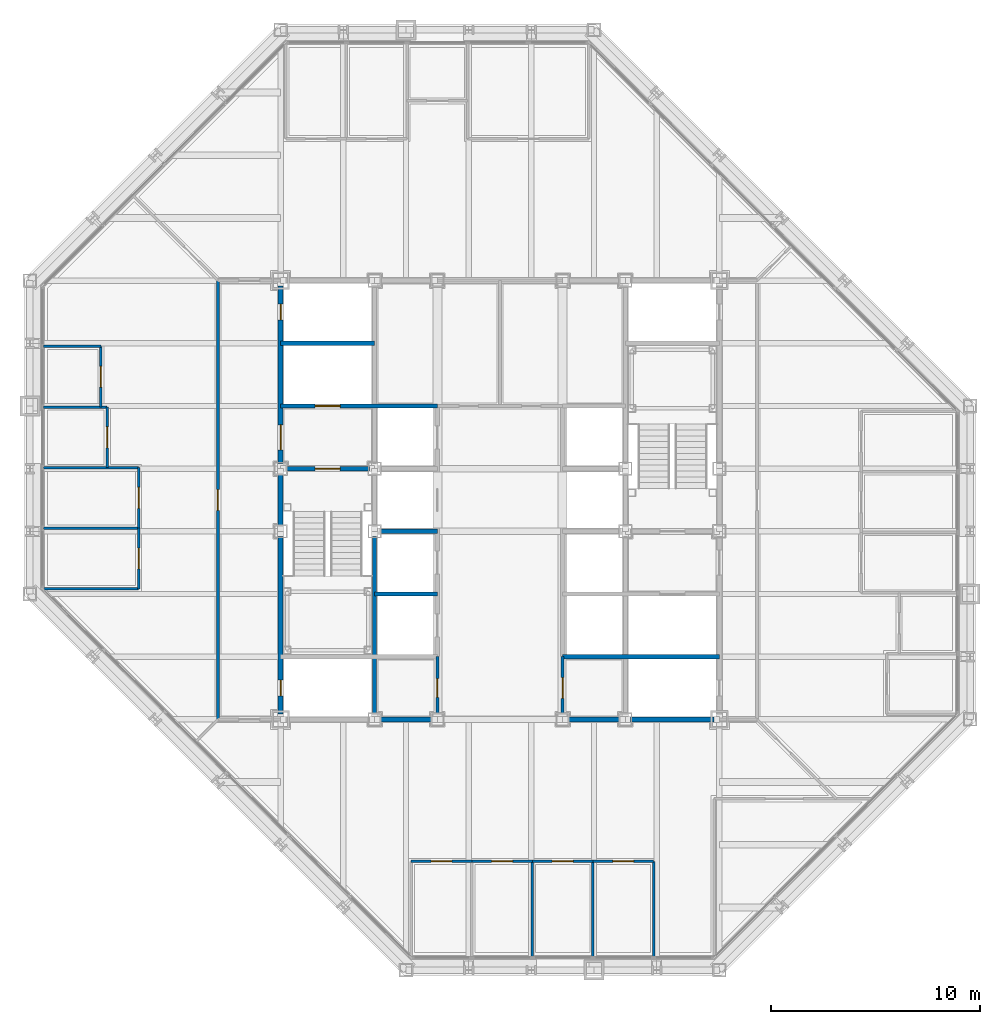
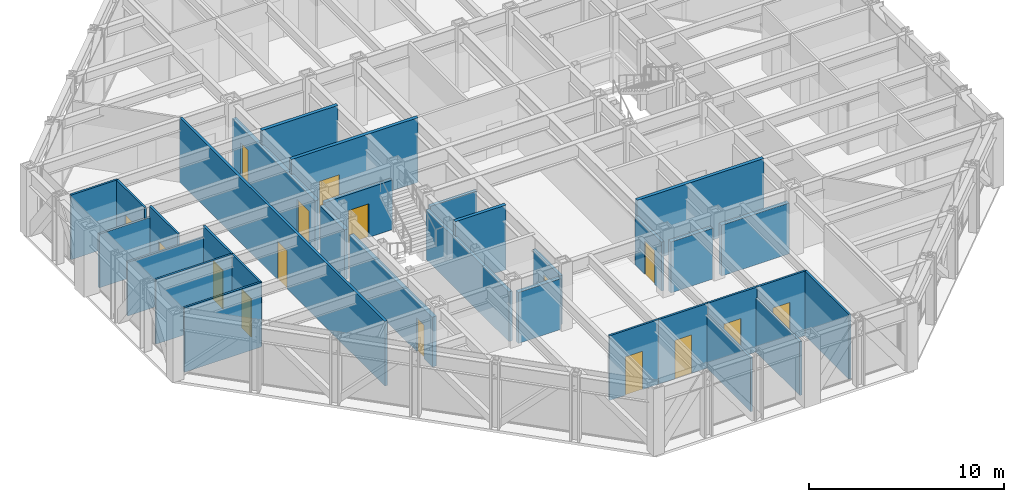
# One storey, part 10 of 15: 32 walls, 16 doors, 16 openings.
"""IFC4 building model written with IfcOpenShell, lengths in metres."""

from ifc_helpers import new_model, si_unit, direction, frame, frame_2d, origin, place, context, subcontext, project, spatial, rectangle, extrude, material, layer, layer_set, type_object, element, fill, save


model = new_model("IFC4")

# Units and contexts
model_context = context("Model", 3, precision=1e-05, world=origin(), true_north=direction((0.0, 1.0)))
body_context = subcontext(model_context, "Body", "Model", "MODEL_VIEW")
ifc_project = project(units=[si_unit("LENGTHUNIT", "METRE"), si_unit("AREAUNIT", "SQUARE_METRE"), si_unit("VOLUMEUNIT", "CUBIC_METRE"), si_unit("PLANEANGLEUNIT", "RADIAN"), si_unit("MASSUNIT", "GRAM", prefix="KILO")], contexts=[model_context])

# Site, building, storey
site_placement = place(None, origin())
site = spatial("IfcSite", under=ifc_project, at=site_placement, CompositionType="ELEMENT")
building_placement = place(site_placement, origin())
building = spatial("IfcBuilding", under=site, at=building_placement, Name="Chuquiago Exchange Tower", CompositionType="ELEMENT")
storey_placement = place(building_placement, frame((0.0, 0.0, 184.5)))
storey = spatial("IfcBuildingStorey", under=building, at=storey_placement, Name="L40", CompositionType="ELEMENT", Elevation=184.5)

# Wall, opening, door
ifc_material_1 = material(Name="Concrete masonry, fully grouted", Category="masonry")
ifc_layer_1 = layer(ifc_material_1, 0.25)
ifc_layer_set_1 = layer_set([ifc_layer_1], Name="W1 core wall 250")
wall_type_1 = type_object("IfcWallType", Name="W1 core wall 250", PredefinedType="SOLIDWALL", material=ifc_layer_set_1)
wall_1_placement = place(storey_placement, frame((12.0, 12.25, 0.0), z_axis=(0.0, 0.0, 1.0), x_axis=(0.0, 1.0, 0.0)))
wall_1 = element("IfcWall", 1, at=wall_1_placement, inside=storey, type_object=wall_type_1, Name="CW-L40-00-0", PredefinedType="SOLIDWALL", context=body_context, shape_type="SweptSolid", body=[
    extrude(rectangle(XDim=8.5, YDim=0.25, at=frame_2d((4.25, 0.0))), origin(), (0.0, 0.0, 1.0), 3.11279296875),
])
opening_1_placement = place(wall_1_placement, frame((0.875, 0.0, 0.0)))
opening_1 = element("IfcOpeningElement", 2, at=opening_1_placement, cuts=wall_1, Name="Opening L40-007", PredefinedType="OPENING", context=body_context, shape_type="SweptSolid", body=[
    extrude(rectangle(XDim=0.75, YDim=2.10009765625, at=frame_2d((0.375, 1.050048828125))), frame((0.0, 0.135009765625, 0.0), z_axis=(0.0, -1.0, 0.0), x_axis=(1.0, 0.0, 0.0)), (0.0, 0.0, 1.0), 0.27001953125),
])
ifc_material_2 = material(Name="Steel door, painted", Category="steel")
door_type_1 = type_object("IfcDoorType", Name="D6 riser access door 750x2100", OperationType="SINGLE_SWING_LEFT", PredefinedType="DOOR", material=ifc_material_2)
door_1_placement = place(opening_1_placement, origin())
door_1 = element("IfcDoor", 3, at=door_1_placement, inside=storey, type_object=door_type_1, Name="Riser RW1 door", OperationType="SINGLE_SWING_LEFT", OverallHeight=2.10009765625, OverallWidth=0.75, PredefinedType="DOOR", context=body_context, shape_type="SweptSolid", body=[
    extrude(rectangle(XDim=0.75, YDim=2.10009765625, at=frame_2d((0.375, 1.050048828125))), frame((0.0, 0.02490234375, 0.0), z_axis=(0.0, -1.0, 0.0), x_axis=(1.0, 0.0, 0.0)), (0.0, 0.0, 1.0), 0.050048828125),
])
fill(opening_1, door_1)

# Wall
wall_2_placement = place(storey_placement, frame((12.0, 21.25, 0.0), z_axis=(0.0, 0.0, 1.0), x_axis=(0.0, 1.0, 0.0)))
element("IfcWall", 4, at=wall_2_placement, inside=storey, type_object=wall_type_1, Name="CW-L40-00-1", PredefinedType="SOLIDWALL", context=body_context, shape_type="SweptSolid", body=[
    extrude(rectangle(XDim=2.5, YDim=0.25, at=frame_2d((1.25, 0.0))), origin(), (0.0, 0.0, 1.0), 3.11279296875),
])

# Wall, openings, doors
wall_3_placement = place(storey_placement, frame((12.0, 24.25, 0.0), z_axis=(0.0, 0.0, 1.0), x_axis=(0.0, 1.0, 0.0)))
wall_3 = element("IfcWall", 5, at=wall_3_placement, inside=storey, type_object=wall_type_1, Name="CW-L40-00-2", PredefinedType="SOLIDWALL", context=body_context, shape_type="SweptSolid", body=[
    extrude(rectangle(XDim=8.5, YDim=0.25, at=frame_2d((4.25, 0.0))), origin(), (0.0, 0.0, 1.0), 3.11279296875),
])
opening_2_placement = place(wall_3_placement, frame((0.64990234375, 0.0, 0.0)))
opening_2 = element("IfcOpeningElement", 6, at=opening_2_placement, cuts=wall_3, Name="Opening L40-002", PredefinedType="OPENING", context=body_context, shape_type="SweptSolid", body=[
    extrude(rectangle(XDim=1.199951171875, YDim=2.10009765625, at=frame_2d((0.60009765625, 1.050048828125))), frame((0.0, 0.135009765625, 0.0), z_axis=(0.0, -1.0, 0.0), x_axis=(1.0, 0.0, 0.0)), (0.0, 0.0, 1.0), 0.27001953125),
])
opening_3_placement = place(wall_3_placement, frame((6.875, 0.0, 0.0)))
opening_3 = element("IfcOpeningElement", 7, at=opening_3_placement, cuts=wall_3, Name="Opening L40-008", PredefinedType="OPENING", context=body_context, shape_type="SweptSolid", body=[
    extrude(rectangle(XDim=0.75, YDim=2.10009765625, at=frame_2d((0.375, 1.050048828125))), frame((0.0, 0.135009765625, 0.0), z_axis=(0.0, -1.0, 0.0), x_axis=(1.0, 0.0, 0.0)), (0.0, 0.0, 1.0), 0.27001953125),
])
ifc_material_3 = material(Name="Steel door, painted", Category="steel")
door_type_2 = type_object("IfcDoorType", Name="D5 firefighting lobby door 1200x2100", OperationType="SINGLE_SWING_LEFT", PredefinedType="DOOR", material=ifc_material_3)
door_2_placement = place(opening_2_placement, frame((1.199951171875, 0.0, 0.0), z_axis=(0.0, 0.0, 1.0), x_axis=(-1.0, 0.0, 0.0)))
door_2 = element("IfcDoor", 8, at=door_2_placement, inside=storey, type_object=door_type_2, Name="Firefighting lobby 1 door", OperationType="SINGLE_SWING_RIGHT", OverallHeight=2.10009765625, OverallWidth=1.199951171875, PredefinedType="DOOR", context=body_context, shape_type="SweptSolid", body=[
    extrude(rectangle(XDim=1.199951171875, YDim=2.10009765625, at=frame_2d((0.60009765625, 1.050048828125))), frame((0.0, 0.02490234375, 0.0), z_axis=(0.0, -1.0, 0.0), x_axis=(1.0, 0.0, 0.0)), (0.0, 0.0, 1.0), 0.050048828125),
])
fill(opening_2, door_2)
door_3_placement = place(opening_3_placement, origin())
door_3 = element("IfcDoor", 9, at=door_3_placement, inside=storey, type_object=door_type_1, Name="Riser RW2 door", OperationType="SINGLE_SWING_RIGHT", OverallHeight=2.10009765625, OverallWidth=0.75, PredefinedType="DOOR", context=body_context, shape_type="SweptSolid", body=[
    extrude(rectangle(XDim=0.75, YDim=2.10009765625, at=frame_2d((0.375, 1.050048828125))), frame((0.0, 0.02490234375, 0.0), z_axis=(0.0, -1.0, 0.0), x_axis=(1.0, 0.0, 0.0)), (0.0, 0.0, 1.0), 0.050048828125),
])
fill(opening_3, door_3)

# Walls
for number, where, z_axis, x_axis, name in (
    (10, (16.75, 12.0, 0.0), (0.0, 0.0, 1.0), (1.0, 0.0, 0.0), "CW-L40-01-1"),
    (11, (25.75, 12.0, 0.0), (0.0, 0.0, 1.0), (1.0, 0.0, 0.0), "CW-L40-02-0"),
):
    element("IfcWall", number, at=place(storey_placement, frame(where, z_axis=z_axis, x_axis=x_axis)), inside=storey, type_object=wall_type_1, Name=name, PredefinedType="SOLIDWALL", context=body_context, shape_type="SweptSolid", body=[
        extrude(rectangle(XDim=2.5, YDim=0.25, at=frame_2d((1.25, 0.0))), origin(), (0.0, 0.0, 1.0), 3.181396484375),
    ])
wall_4_placement = place(storey_placement, frame((28.75, 12.0, 0.0), z_axis=(0.0, 0.0, 1.0), x_axis=(1.0, 0.0, 0.0)))
element("IfcWall", 12, at=wall_4_placement, inside=storey, type_object=wall_type_1, Name="CW-L40-02-1", PredefinedType="SOLIDWALL", context=body_context, shape_type="SweptSolid", body=[
    extrude(rectangle(XDim=4.0, YDim=0.25, at=frame_2d((2.0, 0.0))), origin(), (0.0, 0.0, 1.0), 3.181396484375),
])

# Wall, opening, door
ifc_material_4 = material(Name="Gypsum board on steel studs, acoustic insulation", Category="steel")
ifc_layer_2 = layer(ifc_material_4, 0.14990234375)
ifc_layer_set_2 = layer_set([ifc_layer_2], Name="W11 corridor wall 150")
wall_type_2 = type_object("IfcWallType", Name="W11 corridor wall 150", PredefinedType="PARTITIONING", material=ifc_layer_set_2)
wall_5_placement = place(storey_placement, frame((9.0, 12.0, 0.0), z_axis=(0.0, 0.0, 1.0), x_axis=(0.0, 1.0, 0.0)))
wall_5 = element("IfcWall", 13, at=wall_5_placement, inside=storey, type_object=wall_type_2, Name="PW-L40-GW0", PredefinedType="PARTITIONING", context=body_context, shape_type="SweptSolid", body=[
    extrude(rectangle(XDim=21.0, YDim=0.14990234375, at=frame_2d((10.5, 0.0))), origin(), (0.0, 0.0, 1.0), 4.0400390625),
])
opening_4_placement = place(wall_5_placement, frame((10.0, 0.0, 0.0)))
opening_4 = element("IfcOpeningElement", 14, at=opening_4_placement, cuts=wall_5, Name="Opening L40-037", PredefinedType="OPENING", context=body_context, shape_type="SweptSolid", body=[
    extrude(rectangle(XDim=1.0, YDim=2.39990234375, at=frame_2d((0.5, 1.199951171875))), frame((0.0, 0.0849609375, 0.0), z_axis=(0.0, -1.0, 0.0), x_axis=(1.0, 0.0, 0.0)), (0.0, 0.0, 1.0), 0.169921875),
])
ifc_material_5 = material(Name="Timber door, laminate faced", Category="wood")
door_type_3 = type_object("IfcDoorType", Name="D9 room door 1000x2400", OperationType="SINGLE_SWING_LEFT", PredefinedType="DOOR", material=ifc_material_5)
door_4_placement = place(opening_4_placement, origin())
door_4 = element("IfcDoor", 15, at=door_4_placement, inside=storey, type_object=door_type_3, Name="Team area door", OperationType="SINGLE_SWING_LEFT", OverallHeight=2.39990234375, OverallWidth=1.0, PredefinedType="DOOR", context=body_context, shape_type="SweptSolid", body=[
    extrude(rectangle(XDim=1.0, YDim=2.39990234375, at=frame_2d((0.5, 1.199951171875))), frame((0.0, 0.02490234375, 0.0), z_axis=(0.0, -1.0, 0.0), x_axis=(1.0, 0.0, 0.0)), (0.0, 0.0, 1.0), 0.050048828125),
])
fill(opening_4, door_4)

# Wall
ifc_material_6 = material(Name="Concrete masonry, fully grouted", Category="masonry")
ifc_layer_3 = layer(ifc_material_6, 0.199951171875)
ifc_layer_set_3 = layer_set([ifc_layer_3], Name="W2 shaft wall 200")
wall_type_3 = type_object("IfcWallType", Name="W2 shaft wall 200", PredefinedType="SOLIDWALL", material=ifc_layer_set_3)
wall_6_placement = place(storey_placement, frame((25.5, 15.0, 0.0), z_axis=(0.0, 0.0, 1.0), x_axis=(1.0, 0.0, 0.0)))
element("IfcWall", 16, at=wall_6_placement, inside=storey, type_object=wall_type_3, Name="CW-L40-04-0", PredefinedType="SOLIDWALL", context=body_context, shape_type="SweptSolid", body=[
    extrude(rectangle(XDim=7.5, YDim=0.199951171875, at=frame_2d((3.75, 0.0))), origin(), (0.0, 0.0, 1.0), 4.0400390625),
])

# Wall, opening, door
wall_7_placement = place(storey_placement, frame((12.25, 24.0, 0.0), z_axis=(0.0, 0.0, 1.0), x_axis=(1.0, 0.0, 0.0)))
wall_7 = element("IfcWall", 17, at=wall_7_placement, inside=storey, type_object=wall_type_3, Name="CW-L40-05-0", PredefinedType="SOLIDWALL", context=body_context, shape_type="SweptSolid", body=[
    extrude(rectangle(XDim=4.0, YDim=0.199951171875, at=frame_2d((2.0, 0.0))), origin(), (0.0, 0.0, 1.0), 3.090087890625),
])
opening_5_placement = place(wall_7_placement, frame((1.39990234375, 0.0, 0.0)))
opening_5 = element("IfcOpeningElement", 18, at=opening_5_placement, cuts=wall_7, Name="Opening L40-001", PredefinedType="OPENING", context=body_context, shape_type="SweptSolid", body=[
    extrude(rectangle(XDim=1.199951171875, YDim=2.10009765625, at=frame_2d((0.60009765625, 1.050048828125))), frame((0.0, 0.10986328125, 0.0), z_axis=(0.0, -1.0, 0.0), x_axis=(1.0, 0.0, 0.0)), (0.0, 0.0, 1.0), 0.219970703125),
])
ifc_material_7 = material(Name="Steel door, painted", Category="steel")
door_type_4 = type_object("IfcDoorType", Name="D4 stair door 1200x2100", OperationType="SINGLE_SWING_LEFT", PredefinedType="DOOR", material=ifc_material_7)
door_5_placement = place(opening_5_placement, frame((1.199951171875, 0.0, 0.0), z_axis=(0.0, 0.0, 1.0), x_axis=(-1.0, 0.0, 0.0)))
door_5 = element("IfcDoor", 19, at=door_5_placement, inside=storey, type_object=door_type_4, Name="Stair ST1 door", OperationType="SINGLE_SWING_RIGHT", OverallHeight=2.10009765625, OverallWidth=1.199951171875, PredefinedType="DOOR", context=body_context, shape_type="SweptSolid", body=[
    extrude(rectangle(XDim=1.199951171875, YDim=2.10009765625, at=frame_2d((0.60009765625, 1.050048828125))), frame((0.0, 0.02490234375, 0.0), z_axis=(0.0, -1.0, 0.0), x_axis=(1.0, 0.0, 0.0)), (0.0, 0.0, 1.0), 0.050048828125),
])
fill(opening_5, door_5)

wall_8_placement = place(storey_placement, frame((12.0, 27.0, 0.0), z_axis=(0.0, 0.0, 1.0), x_axis=(1.0, 0.0, 0.0)))
wall_8 = element("IfcWall", 20, at=wall_8_placement, inside=storey, type_object=wall_type_3, Name="CW-L40-07-0", PredefinedType="SOLIDWALL", context=body_context, shape_type="SweptSolid", body=[
    extrude(rectangle(XDim=7.5, YDim=0.199951171875, at=frame_2d((3.75, 0.0))), origin(), (0.0, 0.0, 1.0), 4.0400390625),
])
opening_6_placement = place(wall_8_placement, frame((1.64990234375, 0.0, 0.0)))
opening_6 = element("IfcOpeningElement", 21, at=opening_6_placement, cuts=wall_8, Name="Opening L40-005", PredefinedType="OPENING", context=body_context, shape_type="SweptSolid", body=[
    extrude(rectangle(XDim=1.199951171875, YDim=2.10009765625, at=frame_2d((0.60009765625, 1.050048828125))), frame((0.0, 0.10986328125, 0.0), z_axis=(0.0, -1.0, 0.0), x_axis=(1.0, 0.0, 0.0)), (0.0, 0.0, 1.0), 0.219970703125),
])
ifc_material_8 = material(Name="Stainless steel lift landing door", Category="steel")
door_type_5 = type_object("IfcDoorType", Name="LD2 firefighting lift landing door 1200x2100", OperationType="DOUBLE_DOOR_SLIDING", PredefinedType="DOOR", material=ifc_material_8)
door_6_placement = place(opening_6_placement, origin())
door_6 = element("IfcDoor", 22, at=door_6_placement, inside=storey, type_object=door_type_5, Name="Firefighting lift FL1 landing door", OperationType="DOUBLE_DOOR_SLIDING", OverallHeight=2.10009765625, OverallWidth=1.199951171875, PredefinedType="DOOR", context=body_context, shape_type="SweptSolid", body=[
    extrude(rectangle(XDim=1.199951171875, YDim=2.10009765625, at=frame_2d((0.60009765625, 1.050048828125))), frame((0.0, 0.02490234375, 0.0), z_axis=(0.0, -1.0, 0.0), x_axis=(1.0, 0.0, 0.0)), (0.0, 0.0, 1.0), 0.050048828125),
])
fill(opening_6, door_6)

# Walls
wall_9_placement = place(storey_placement, frame((12.0, 30.0, 0.0), z_axis=(0.0, 0.0, 1.0), x_axis=(1.0, 0.0, 0.0)))
element("IfcWall", 23, at=wall_9_placement, inside=storey, type_object=wall_type_3, Name="CW-L40-09-0", PredefinedType="SOLIDWALL", context=body_context, shape_type="SweptSolid", body=[
    extrude(rectangle(XDim=4.5, YDim=0.199951171875, at=frame_2d((2.25, 0.0))), origin(), (0.0, 0.0, 1.0), 4.0400390625),
])
wall_10_placement = place(storey_placement, frame((16.5, 12.25, 0.0), z_axis=(0.0, 0.0, 1.0), x_axis=(0.0, 1.0, 0.0)))
element("IfcWall", 24, at=wall_10_placement, inside=storey, type_object=wall_type_3, Name="CW-L40-13-0", PredefinedType="SOLIDWALL", context=body_context, shape_type="SweptSolid", body=[
    extrude(rectangle(XDim=8.5, YDim=0.199951171875, at=frame_2d((4.25, 0.0))), origin(), (0.0, 0.0, 1.0), 3.11279296875),
])
wall_11_placement = place(storey_placement, frame((16.5, 18.0, 0.0), z_axis=(0.0, 0.0, 1.0), x_axis=(1.0, 0.0, 0.0)))
element("IfcWall", 25, at=wall_11_placement, inside=storey, type_object=wall_type_3, Name="CW-L40-14-0", PredefinedType="SOLIDWALL", context=body_context, shape_type="SweptSolid", body=[
    extrude(rectangle(XDim=3.0, YDim=0.199951171875, at=frame_2d((1.5, 0.0))), origin(), (0.0, 0.0, 1.0), 4.0400390625),
])
wall_12_placement = place(storey_placement, frame((16.75, 21.0, 0.0), z_axis=(0.0, 0.0, 1.0), x_axis=(1.0, 0.0, 0.0)))
element("IfcWall", 26, at=wall_12_placement, inside=storey, type_object=wall_type_3, Name="CW-L40-16-0", PredefinedType="SOLIDWALL", context=body_context, shape_type="SweptSolid", body=[
    extrude(rectangle(XDim=2.75, YDim=0.199951171875, at=frame_2d((1.375, 0.0))), origin(), (0.0, 0.0, 1.0), 3.090087890625),
])

# Wall, opening, door
ifc_material_9 = material(Name="Gypsum board on steel studs", Category="steel")
ifc_layer_4 = layer(ifc_material_9, 0.14990234375)
ifc_layer_set_4 = layer_set([ifc_layer_4], Name="W3 core partition 150")
wall_type_4 = type_object("IfcWallType", Name="W3 core partition 150", PredefinedType="PARTITIONING", material=ifc_layer_set_4)
wall_13_placement = place(storey_placement, frame((19.5, 12.25, 0.0), z_axis=(0.0, 0.0, 1.0), x_axis=(0.0, 1.0, 0.0)))
wall_13 = element("IfcWall", 27, at=wall_13_placement, inside=storey, type_object=wall_type_4, Name="CW-L40-18-0", PredefinedType="PARTITIONING", context=body_context, shape_type="SweptSolid", body=[
    extrude(rectangle(XDim=2.75, YDim=0.14990234375, at=frame_2d((1.375, 0.0))), origin(), (0.0, 0.0, 1.0), 3.064697265625),
])
opening_7_placement = place(wall_13_placement, frame((0.800048828125, 0.0, 0.0)))
opening_7 = element("IfcOpeningElement", 28, at=opening_7_placement, cuts=wall_13, Name="Opening L40-014", PredefinedType="OPENING", context=body_context, shape_type="SweptSolid", body=[
    extrude(rectangle(XDim=0.89990234375, YDim=2.10009765625, at=frame_2d((0.449951171875, 1.050048828125))), frame((0.0, 0.0849609375, 0.0), z_axis=(0.0, -1.0, 0.0), x_axis=(1.0, 0.0, 0.0)), (0.0, 0.0, 1.0), 0.169921875),
])
ifc_material_10 = material(Name="Timber door, laminate faced", Category="wood")
door_type_6 = type_object("IfcDoorType", Name="D7 toilet door 900x2100", OperationType="SINGLE_SWING_LEFT", PredefinedType="DOOR", material=ifc_material_10)
door_7_placement = place(opening_7_placement, frame((0.89990234375, 0.0, 0.0), z_axis=(0.0, 0.0, 1.0), x_axis=(-1.0, 0.0, 0.0)))
door_7 = element("IfcDoor", 29, at=door_7_placement, inside=storey, type_object=door_type_6, Name="Cleaner door", OperationType="SINGLE_SWING_RIGHT", OverallHeight=2.10009765625, OverallWidth=0.89990234375, PredefinedType="DOOR", context=body_context, shape_type="SweptSolid", body=[
    extrude(rectangle(XDim=0.89990234375, YDim=2.10009765625, at=frame_2d((0.449951171875, 1.050048828125))), frame((0.0, 0.02490234375, 0.0), z_axis=(0.0, -1.0, 0.0), x_axis=(1.0, 0.0, 0.0)), (0.0, 0.0, 1.0), 0.050048828125),
])
fill(opening_7, door_7)

wall_14_placement = place(storey_placement, frame((25.5, 12.25, 0.0), z_axis=(0.0, 0.0, 1.0), x_axis=(0.0, 1.0, 0.0)))
wall_14 = element("IfcWall", 30, at=wall_14_placement, inside=storey, type_object=wall_type_4, Name="CW-L40-21-0", PredefinedType="PARTITIONING", context=body_context, shape_type="SweptSolid", body=[
    extrude(rectangle(XDim=2.75, YDim=0.14990234375, at=frame_2d((1.375, 0.0))), origin(), (0.0, 0.0, 1.0), 3.064697265625),
])
opening_8_placement = place(wall_14_placement, frame((0.75, 0.0, 0.0)))
opening_8 = element("IfcOpeningElement", 31, at=opening_8_placement, cuts=wall_14, Name="Opening L40-013", PredefinedType="OPENING", context=body_context, shape_type="SweptSolid", body=[
    extrude(rectangle(XDim=1.0, YDim=2.10009765625, at=frame_2d((0.5, 1.050048828125))), frame((0.0, 0.0849609375, 0.0), z_axis=(0.0, -1.0, 0.0), x_axis=(1.0, 0.0, 0.0)), (0.0, 0.0, 1.0), 0.169921875),
])
ifc_material_11 = material(Name="Timber door, laminate faced", Category="wood")
door_type_7 = type_object("IfcDoorType", Name="D8 accessible toilet door 1000x2100", OperationType="SLIDING_TO_LEFT", PredefinedType="DOOR", material=ifc_material_11)
door_8_placement = place(opening_8_placement, origin())
door_8 = element("IfcDoor", 32, at=door_8_placement, inside=storey, type_object=door_type_7, Name="Accessible WC door", OperationType="SLIDING_TO_LEFT", OverallHeight=2.10009765625, OverallWidth=1.0, PredefinedType="DOOR", context=body_context, shape_type="SweptSolid", body=[
    extrude(rectangle(XDim=1.0, YDim=2.10009765625, at=frame_2d((0.5, 1.050048828125))), frame((0.0, 0.02490234375, 0.0), z_axis=(0.0, -1.0, 0.0), x_axis=(1.0, 0.0, 0.0)), (0.0, 0.0, 1.0), 0.050048828125),
])
fill(opening_8, door_8)

# Walls
ifc_material_12 = material(Name="Gypsum board on steel studs", Category="steel")
ifc_layer_5 = layer(ifc_material_12, 0.1201171875)
ifc_layer_set_5 = layer_set([ifc_layer_5], Name="W4 partition 120")
wall_type_5 = type_object("IfcWallType", Name="W4 partition 120", PredefinedType="PARTITIONING", material=ifc_layer_set_5)
for number, where, z_axis, x_axis, name in (
    (33, (24.0498046875, 0.652587890625, 0.0), (0.0, 0.0, 1.0), (0.0, 1.0, 0.0), "PW-L40-S02405"),
    (34, (26.9501953125, 0.652587890625, 0.0), (0.0, 0.0, 1.0), (0.0, 1.0, 0.0), "PW-L40-S02695"),
):
    element("IfcWall", number, at=place(storey_placement, frame(where, z_axis=z_axis, x_axis=x_axis)), inside=storey, type_object=wall_type_5, Name=name, PredefinedType="PARTITIONING", context=body_context, shape_type="SweptSolid", body=[
        extrude(rectangle(XDim=4.54736328125, YDim=0.1201171875, at=frame_2d((2.273681640625, 0.0))), origin(), (0.0, 0.0, 1.0), 3.356689453125),
    ])
wall_15_placement = place(storey_placement, frame((29.850830078125, 0.652587890625, 0.0), z_axis=(0.0, 0.0, 1.0), x_axis=(0.0, 1.0, 0.0)))
element("IfcWall", 35, at=wall_15_placement, inside=storey, type_object=wall_type_5, Name="PW-L40-S02985", PredefinedType="PARTITIONING", context=body_context, shape_type="SweptSolid", body=[
    extrude(rectangle(XDim=4.54736328125, YDim=0.1201171875, at=frame_2d((2.273681640625, 0.0))), origin(), (0.0, 0.0, 1.0), 4.0400390625),
])

# Wall, opening, door
wall_16_placement = place(storey_placement, frame((18.24853515625, 5.199951171875, 0.0), z_axis=(0.0, 0.0, 1.0), x_axis=(1.0, 0.0, 0.0)))
wall_16 = element("IfcWall", 36, at=wall_16_placement, inside=storey, type_object=wall_type_5, Name="PW-L40-SF01825", PredefinedType="PARTITIONING", context=body_context, shape_type="SweptSolid", body=[
    extrude(rectangle(XDim=2.900634765625, YDim=0.1201171875, at=frame_2d((1.4501953125, 0.0))), origin(), (0.0, 0.0, 1.0), 4.0400390625),
])
opening_9_placement = place(wall_16_placement, frame((0.9501953125, 0.0, 0.0)))
opening_9 = element("IfcOpeningElement", 37, at=opening_9_placement, cuts=wall_16, Name="Opening L40-019", PredefinedType="OPENING", context=body_context, shape_type="SweptSolid", body=[
    extrude(rectangle(XDim=1.0, YDim=2.39990234375, at=frame_2d((0.5, 1.199951171875))), frame((0.0, 0.070068359375, 0.0), z_axis=(0.0, -1.0, 0.0), x_axis=(1.0, 0.0, 0.0)), (0.0, 0.0, 1.0), 0.14013671875),
])
door_9_placement = place(opening_9_placement, frame((1.0, 0.0, 0.0), z_axis=(0.0, 0.0, 1.0), x_axis=(-1.0, 0.0, 0.0)))
door_9 = element("IfcDoor", 38, at=door_9_placement, inside=storey, type_object=door_type_3, Name="Office door", OperationType="SINGLE_SWING_RIGHT", OverallHeight=2.39990234375, OverallWidth=1.0, PredefinedType="DOOR", context=body_context, shape_type="SweptSolid", body=[
    extrude(rectangle(XDim=1.0, YDim=2.39990234375, at=frame_2d((0.5, 1.199951171875))), frame((0.0, 0.02490234375, 0.0), z_axis=(0.0, -1.0, 0.0), x_axis=(1.0, 0.0, 0.0)), (0.0, 0.0, 1.0), 0.050048828125),
])
fill(opening_9, door_9)

wall_17_placement = place(storey_placement, frame((21.149169921875, 5.199951171875, 0.0), z_axis=(0.0, 0.0, 1.0), x_axis=(1.0, 0.0, 0.0)))
wall_17 = element("IfcWall", 39, at=wall_17_placement, inside=storey, type_object=wall_type_5, Name="PW-L40-SF02115", PredefinedType="PARTITIONING", context=body_context, shape_type="SweptSolid", body=[
    extrude(rectangle(XDim=2.900634765625, YDim=0.1201171875, at=frame_2d((1.4501953125, 0.0))), origin(), (0.0, 0.0, 1.0), 4.0400390625),
])
opening_10_placement = place(wall_17_placement, frame((0.9501953125, 0.0, 0.0)))
opening_10 = element("IfcOpeningElement", 40, at=opening_10_placement, cuts=wall_17, Name="Opening L40-020", PredefinedType="OPENING", context=body_context, shape_type="SweptSolid", body=[
    extrude(rectangle(XDim=1.0, YDim=2.39990234375, at=frame_2d((0.5, 1.199951171875))), frame((0.0, 0.070068359375, 0.0), z_axis=(0.0, -1.0, 0.0), x_axis=(1.0, 0.0, 0.0)), (0.0, 0.0, 1.0), 0.14013671875),
])
door_10_placement = place(opening_10_placement, frame((1.0, 0.0, 0.0), z_axis=(0.0, 0.0, 1.0), x_axis=(-1.0, 0.0, 0.0)))
door_10 = element("IfcDoor", 41, at=door_10_placement, inside=storey, type_object=door_type_3, Name="Office door", OperationType="SINGLE_SWING_RIGHT", OverallHeight=2.39990234375, OverallWidth=1.0, PredefinedType="DOOR", context=body_context, shape_type="SweptSolid", body=[
    extrude(rectangle(XDim=1.0, YDim=2.39990234375, at=frame_2d((0.5, 1.199951171875))), frame((0.0, 0.02490234375, 0.0), z_axis=(0.0, -1.0, 0.0), x_axis=(1.0, 0.0, 0.0)), (0.0, 0.0, 1.0), 0.050048828125),
])
fill(opening_10, door_10)

wall_18_placement = place(storey_placement, frame((24.0498046875, 5.199951171875, 0.0), z_axis=(0.0, 0.0, 1.0), x_axis=(1.0, 0.0, 0.0)))
wall_18 = element("IfcWall", 42, at=wall_18_placement, inside=storey, type_object=wall_type_5, Name="PW-L40-SF02405", PredefinedType="PARTITIONING", context=body_context, shape_type="SweptSolid", body=[
    extrude(rectangle(XDim=2.900390625, YDim=0.1201171875, at=frame_2d((1.4501953125, 0.0))), origin(), (0.0, 0.0, 1.0), 4.0400390625),
])
opening_11_placement = place(wall_18_placement, frame((0.9501953125, 0.0, 0.0)))
opening_11 = element("IfcOpeningElement", 43, at=opening_11_placement, cuts=wall_18, Name="Opening L40-021", PredefinedType="OPENING", context=body_context, shape_type="SweptSolid", body=[
    extrude(rectangle(XDim=1.0, YDim=2.39990234375, at=frame_2d((0.5, 1.199951171875))), frame((0.0, 0.070068359375, 0.0), z_axis=(0.0, -1.0, 0.0), x_axis=(1.0, 0.0, 0.0)), (0.0, 0.0, 1.0), 0.14013671875),
])
door_11_placement = place(opening_11_placement, frame((1.0, 0.0, 0.0), z_axis=(0.0, 0.0, 1.0), x_axis=(-1.0, 0.0, 0.0)))
door_11 = element("IfcDoor", 44, at=door_11_placement, inside=storey, type_object=door_type_3, Name="Office door", OperationType="SINGLE_SWING_LEFT", OverallHeight=2.39990234375, OverallWidth=1.0, PredefinedType="DOOR", context=body_context, shape_type="SweptSolid", body=[
    extrude(rectangle(XDim=1.0, YDim=2.39990234375, at=frame_2d((0.5, 1.199951171875))), frame((0.0, 0.02490234375, 0.0), z_axis=(0.0, -1.0, 0.0), x_axis=(1.0, 0.0, 0.0)), (0.0, 0.0, 1.0), 0.050048828125),
])
fill(opening_11, door_11)

wall_19_placement = place(storey_placement, frame((26.9501953125, 5.199951171875, 0.0), z_axis=(0.0, 0.0, 1.0), x_axis=(1.0, 0.0, 0.0)))
wall_19 = element("IfcWall", 45, at=wall_19_placement, inside=storey, type_object=wall_type_5, Name="PW-L40-SF02695", PredefinedType="PARTITIONING", context=body_context, shape_type="SweptSolid", body=[
    extrude(rectangle(XDim=2.900634765625, YDim=0.1201171875, at=frame_2d((1.4501953125, 0.0))), origin(), (0.0, 0.0, 1.0), 4.0400390625),
])
opening_12_placement = place(wall_19_placement, frame((0.9501953125, 0.0, 0.0)))
opening_12 = element("IfcOpeningElement", 46, at=opening_12_placement, cuts=wall_19, Name="Opening L40-022", PredefinedType="OPENING", context=body_context, shape_type="SweptSolid", body=[
    extrude(rectangle(XDim=1.0, YDim=2.39990234375, at=frame_2d((0.5, 1.199951171875))), frame((0.0, 0.070068359375, 0.0), z_axis=(0.0, -1.0, 0.0), x_axis=(1.0, 0.0, 0.0)), (0.0, 0.0, 1.0), 0.14013671875),
])
door_12_placement = place(opening_12_placement, frame((1.0, 0.0, 0.0), z_axis=(0.0, 0.0, 1.0), x_axis=(-1.0, 0.0, 0.0)))
door_12 = element("IfcDoor", 47, at=door_12_placement, inside=storey, type_object=door_type_3, Name="Office door", OperationType="SINGLE_SWING_RIGHT", OverallHeight=2.39990234375, OverallWidth=1.0, PredefinedType="DOOR", context=body_context, shape_type="SweptSolid", body=[
    extrude(rectangle(XDim=1.0, YDim=2.39990234375, at=frame_2d((0.5, 1.199951171875))), frame((0.0, 0.02490234375, 0.0), z_axis=(0.0, -1.0, 0.0), x_axis=(1.0, 0.0, 0.0)), (0.0, 0.0, 1.0), 0.050048828125),
])
fill(opening_12, door_12)

# Walls
wall_20_placement = place(storey_placement, frame((0.666015625, 18.24853515625, 0.0), z_axis=(0.0, 0.0, 1.0), x_axis=(1.0, 0.0, 0.0)))
element("IfcWall", 48, at=wall_20_placement, inside=storey, type_object=wall_type_5, Name="PW-L40-W01825", PredefinedType="PARTITIONING", context=body_context, shape_type="SweptSolid", body=[
    extrude(rectangle(XDim=4.533935546875, YDim=0.1201171875, at=frame_2d((2.26708984375, 0.0))), origin(), (0.0, 0.0, 1.0), 4.0400390625),
])
wall_21_placement = place(storey_placement, frame((0.652587890625, 21.149169921875, 0.0), z_axis=(0.0, 0.0, 1.0), x_axis=(1.0, 0.0, 0.0)))
element("IfcWall", 49, at=wall_21_placement, inside=storey, type_object=wall_type_5, Name="PW-L40-W02115", PredefinedType="PARTITIONING", context=body_context, shape_type="SweptSolid", body=[
    extrude(rectangle(XDim=4.54736328125, YDim=0.1201171875, at=frame_2d((2.273681640625, 0.0))), origin(), (0.0, 0.0, 1.0), 4.0400390625),
])
wall_22_placement = place(storey_placement, frame((0.652587890625, 24.0498046875, 0.0), z_axis=(0.0, 0.0, 1.0), x_axis=(1.0, 0.0, 0.0)))
element("IfcWall", 50, at=wall_22_placement, inside=storey, type_object=wall_type_5, Name="PW-L40-W02405", PredefinedType="PARTITIONING", context=body_context, shape_type="SweptSolid", body=[
    extrude(rectangle(XDim=4.54736328125, YDim=0.1201171875, at=frame_2d((2.273681640625, 0.0))), origin(), (0.0, 0.0, 1.0), 3.356689453125),
])
wall_23_placement = place(storey_placement, frame((0.652587890625, 26.9501953125, 0.0), z_axis=(0.0, 0.0, 1.0), x_axis=(1.0, 0.0, 0.0)))
element("IfcWall", 51, at=wall_23_placement, inside=storey, type_object=wall_type_5, Name="PW-L40-W02695", PredefinedType="PARTITIONING", context=body_context, shape_type="SweptSolid", body=[
    extrude(rectangle(XDim=3.04736328125, YDim=0.1201171875, at=frame_2d((1.523681640625, 0.0))), origin(), (0.0, 0.0, 1.0), 3.356689453125),
])
wall_24_placement = place(storey_placement, frame((0.652587890625, 29.850830078125, 0.0), z_axis=(0.0, 0.0, 1.0), x_axis=(1.0, 0.0, 0.0)))
element("IfcWall", 52, at=wall_24_placement, inside=storey, type_object=wall_type_5, Name="PW-L40-W02985", PredefinedType="PARTITIONING", context=body_context, shape_type="SweptSolid", body=[
    extrude(rectangle(XDim=2.747314453125, YDim=0.1201171875, at=frame_2d((1.37353515625, 0.0))), origin(), (0.0, 0.0, 1.0), 4.0400390625),
])

# Wall, opening, door
wall_25_placement = place(storey_placement, frame((5.199951171875, 18.24853515625, 0.0), z_axis=(0.0, 0.0, 1.0), x_axis=(0.0, 1.0, 0.0)))
wall_25 = element("IfcWall", 53, at=wall_25_placement, inside=storey, type_object=wall_type_5, Name="PW-L40-WF01825", PredefinedType="PARTITIONING", context=body_context, shape_type="SweptSolid", body=[
    extrude(rectangle(XDim=2.900634765625, YDim=0.1201171875, at=frame_2d((1.4501953125, 0.0))), origin(), (0.0, 0.0, 1.0), 4.0400390625),
])
opening_13_placement = place(wall_25_placement, frame((0.9501953125, 0.0, 0.0)))
opening_13 = element("IfcOpeningElement", 54, at=opening_13_placement, cuts=wall_25, Name="Opening L40-033", PredefinedType="OPENING", context=body_context, shape_type="SweptSolid", body=[
    extrude(rectangle(XDim=1.0, YDim=2.39990234375, at=frame_2d((0.5, 1.199951171875))), frame((0.0, 0.070068359375, 0.0), z_axis=(0.0, -1.0, 0.0), x_axis=(1.0, 0.0, 0.0)), (0.0, 0.0, 1.0), 0.14013671875),
])
door_13_placement = place(opening_13_placement, origin())
door_13 = element("IfcDoor", 55, at=door_13_placement, inside=storey, type_object=door_type_3, Name="Office door", OperationType="SINGLE_SWING_LEFT", OverallHeight=2.39990234375, OverallWidth=1.0, PredefinedType="DOOR", context=body_context, shape_type="SweptSolid", body=[
    extrude(rectangle(XDim=1.0, YDim=2.39990234375, at=frame_2d((0.5, 1.199951171875))), frame((0.0, 0.02490234375, 0.0), z_axis=(0.0, -1.0, 0.0), x_axis=(1.0, 0.0, 0.0)), (0.0, 0.0, 1.0), 0.050048828125),
])
fill(opening_13, door_13)

wall_26_placement = place(storey_placement, frame((5.199951171875, 21.149169921875, 0.0), z_axis=(0.0, 0.0, 1.0), x_axis=(0.0, 1.0, 0.0)))
wall_26 = element("IfcWall", 56, at=wall_26_placement, inside=storey, type_object=wall_type_5, Name="PW-L40-WF02115", PredefinedType="PARTITIONING", context=body_context, shape_type="SweptSolid", body=[
    extrude(rectangle(XDim=2.900634765625, YDim=0.1201171875, at=frame_2d((1.4501953125, 0.0))), origin(), (0.0, 0.0, 1.0), 4.0400390625),
])
opening_14_placement = place(wall_26_placement, frame((0.9501953125, 0.0, 0.0)))
opening_14 = element("IfcOpeningElement", 57, at=opening_14_placement, cuts=wall_26, Name="Opening L40-034", PredefinedType="OPENING", context=body_context, shape_type="SweptSolid", body=[
    extrude(rectangle(XDim=1.0, YDim=2.39990234375, at=frame_2d((0.5, 1.199951171875))), frame((0.0, 0.070068359375, 0.0), z_axis=(0.0, -1.0, 0.0), x_axis=(1.0, 0.0, 0.0)), (0.0, 0.0, 1.0), 0.14013671875),
])
door_14_placement = place(opening_14_placement, origin())
door_14 = element("IfcDoor", 58, at=door_14_placement, inside=storey, type_object=door_type_3, Name="Office door", OperationType="SINGLE_SWING_LEFT", OverallHeight=2.39990234375, OverallWidth=1.0, PredefinedType="DOOR", context=body_context, shape_type="SweptSolid", body=[
    extrude(rectangle(XDim=1.0, YDim=2.39990234375, at=frame_2d((0.5, 1.199951171875))), frame((0.0, 0.02490234375, 0.0), z_axis=(0.0, -1.0, 0.0), x_axis=(1.0, 0.0, 0.0)), (0.0, 0.0, 1.0), 0.050048828125),
])
fill(opening_14, door_14)

wall_27_placement = place(storey_placement, frame((3.699951171875, 24.0498046875, 0.0), z_axis=(0.0, 0.0, 1.0), x_axis=(0.0, 1.0, 0.0)))
wall_27 = element("IfcWall", 59, at=wall_27_placement, inside=storey, type_object=wall_type_5, Name="PW-L40-WF02405", PredefinedType="PARTITIONING", context=body_context, shape_type="SweptSolid", body=[
    extrude(rectangle(XDim=2.900390625, YDim=0.1201171875, at=frame_2d((1.4501953125, 0.0))), origin(), (0.0, 0.0, 1.0), 4.0400390625),
])
opening_15_placement = place(wall_27_placement, frame((0.9501953125, 0.0, 0.0)))
opening_15 = element("IfcOpeningElement", 60, at=opening_15_placement, cuts=wall_27, Name="Opening L40-035", PredefinedType="OPENING", context=body_context, shape_type="SweptSolid", body=[
    extrude(rectangle(XDim=1.0, YDim=2.39990234375, at=frame_2d((0.5, 1.199951171875))), frame((0.0, 0.070068359375, 0.0), z_axis=(0.0, -1.0, 0.0), x_axis=(1.0, 0.0, 0.0)), (0.0, 0.0, 1.0), 0.14013671875),
])
door_15_placement = place(opening_15_placement, origin())
door_15 = element("IfcDoor", 61, at=door_15_placement, inside=storey, type_object=door_type_3, Name="Store door", OperationType="SINGLE_SWING_RIGHT", OverallHeight=2.39990234375, OverallWidth=1.0, PredefinedType="DOOR", context=body_context, shape_type="SweptSolid", body=[
    extrude(rectangle(XDim=1.0, YDim=2.39990234375, at=frame_2d((0.5, 1.199951171875))), frame((0.0, 0.02490234375, 0.0), z_axis=(0.0, -1.0, 0.0), x_axis=(1.0, 0.0, 0.0)), (0.0, 0.0, 1.0), 0.050048828125),
])
fill(opening_15, door_15)

wall_28_placement = place(storey_placement, frame((3.39990234375, 26.9501953125, 0.0), z_axis=(0.0, 0.0, 1.0), x_axis=(0.0, 1.0, 0.0)))
wall_28 = element("IfcWall", 62, at=wall_28_placement, inside=storey, type_object=wall_type_5, Name="PW-L40-WF02695", PredefinedType="PARTITIONING", context=body_context, shape_type="SweptSolid", body=[
    extrude(rectangle(XDim=2.900634765625, YDim=0.1201171875, at=frame_2d((1.4501953125, 0.0))), origin(), (0.0, 0.0, 1.0), 4.0400390625),
])
opening_16_placement = place(wall_28_placement, frame((0.9501953125, 0.0, 0.0)))
opening_16 = element("IfcOpeningElement", 63, at=opening_16_placement, cuts=wall_28, Name="Opening L40-036", PredefinedType="OPENING", context=body_context, shape_type="SweptSolid", body=[
    extrude(rectangle(XDim=1.0, YDim=2.39990234375, at=frame_2d((0.5, 1.199951171875))), frame((0.0, 0.070068359375, 0.0), z_axis=(0.0, -1.0, 0.0), x_axis=(1.0, 0.0, 0.0)), (0.0, 0.0, 1.0), 0.14013671875),
])
ifc_material_13 = material(Name="Timber frame door, full height glazed panel", Category="wood")
door_type_8 = type_object("IfcDoorType", Name="D14 glazed meeting room door 1000x2400", OperationType="SINGLE_SWING_LEFT", PredefinedType="DOOR", material=ifc_material_13)
door_16_placement = place(opening_16_placement, origin())
door_16 = element("IfcDoor", 64, at=door_16_placement, inside=storey, type_object=door_type_8, Name="Focus room door", OperationType="SINGLE_SWING_LEFT", OverallHeight=2.39990234375, OverallWidth=1.0, PredefinedType="DOOR", context=body_context, shape_type="SweptSolid", body=[
    extrude(rectangle(XDim=1.0, YDim=2.39990234375, at=frame_2d((0.5, 1.199951171875))), frame((0.0, 0.02490234375, 0.0), z_axis=(0.0, -1.0, 0.0), x_axis=(1.0, 0.0, 0.0)), (0.0, 0.0, 1.0), 0.050048828125),
])
fill(opening_16, door_16)

save(model, "model.ifc")
